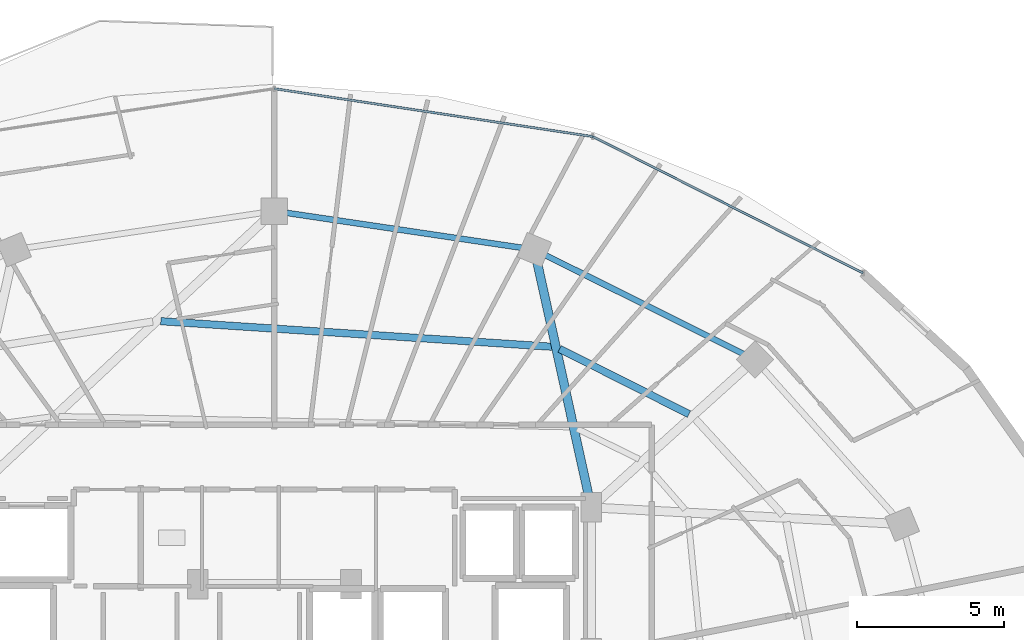
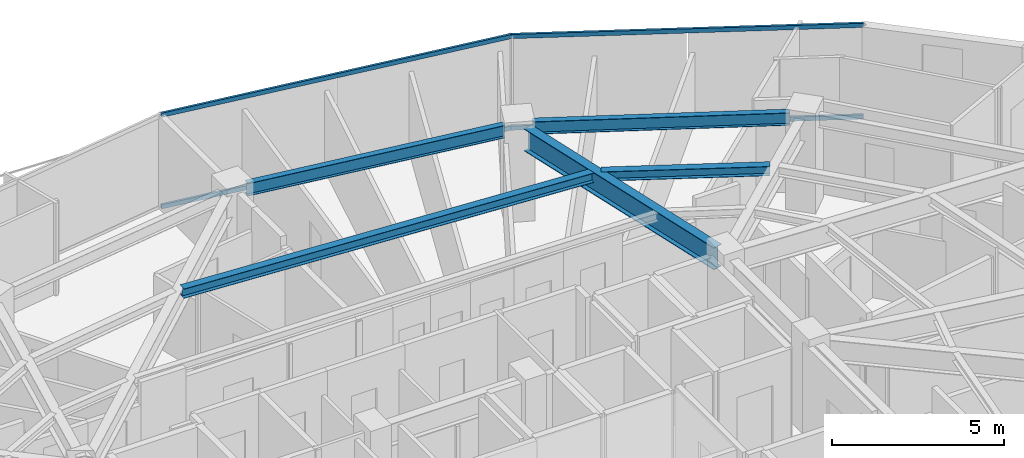
# One storey, part 21 of 34: 5 beams, 4 members, 1 element without a shape of its own.
"""IFC4 building model written with IfcOpenShell, lengths in metres."""

from ifc_helpers import new_model, si_unit, direction, frame, origin, origin_2d, place, context, subcontext, project, spatial, hollow_rectangle, i_section, extrude, material, material_profile, profile_set, type_object, element, aggregate, save


model = new_model("IFC4")

# Units and contexts
model_context = context("Model", 3, precision=1e-05, world=origin(), true_north=direction((0.0, 1.0)))
body_context = subcontext(model_context, "Body", "Model", "MODEL_VIEW")
ifc_project = project(units=[si_unit("LENGTHUNIT", "METRE"), si_unit("AREAUNIT", "SQUARE_METRE"), si_unit("VOLUMEUNIT", "CUBIC_METRE"), si_unit("PLANEANGLEUNIT", "RADIAN"), si_unit("MASSUNIT", "GRAM", prefix="KILO")], contexts=[model_context])

# Site, building, storey
site_placement = place(None, origin())
site = spatial("IfcSite", under=ifc_project, at=site_placement, CompositionType="ELEMENT")
building_placement = place(site_placement, origin())
building = spatial("IfcBuilding", under=site, at=building_placement, Name="Vorneva Point Tower", CompositionType="ELEMENT")
storey_placement = place(building_placement, frame((0.0, 0.0, 214.300048828125)))
storey = spatial("IfcBuildingStorey", under=building, at=storey_placement, Name="L58", CompositionType="ELEMENT", Elevation=214.300048828125)

# Beams
ifc_material_1 = material(Name="Steel S355", Category="steel")
ifc_material_profile_1 = material_profile(ifc_material_1, i_section(OverallWidth=0.300048828125, OverallDepth=0.7880859375, WebThickness=0.014404296875, FlangeThickness=0.02197265625, at=origin_2d()), Name="80Sh1")
ifc_profile_set_1 = profile_set([ifc_material_profile_1], Name="Steel S355")
beam_type_1 = type_object("IfcBeamType", Name="BM-GRD-80Sh1", PredefinedType="USERDEFINED", material=ifc_profile_set_1)
beam_1_placement = place(storey_placement, frame((46.915283203125, 41.462890625, 2.89599609375), z_axis=(0.215522758292, -0.976498817541, 0.0), x_axis=(0.976498817541, 0.215522758292, 0.0)))
element("IfcBeam", 1, at=beam_1_placement, inside=storey, type_object=beam_type_1, Name="L58 Radial Primary Girder 04", ObjectType="GIRDER", PredefinedType="USERDEFINED", context=body_context, shape_type="SweptSolid", body=[
    extrude(i_section(OverallWidth=0.300048828125, OverallDepth=0.7880859375, WebThickness=0.014404296875, FlangeThickness=0.02197265625, at=origin_2d()), origin(), (0.0, 0.0, 1.0), 8.173095703125),
])
ifc_material_profile_2 = material_profile(ifc_material_1, i_section(OverallWidth=0.2490234375, OverallDepth=0.333984375, WebThickness=0.008056640625, FlangeThickness=0.010986328125, at=origin_2d()), Name="35Sh1")
ifc_profile_set_2 = profile_set([ifc_material_profile_2], Name="Steel S355")
beam_type_2 = type_object("IfcBeamType", Name="BM-SEC-35Sh1", PredefinedType="BEAM", material=ifc_profile_set_2)
beam_2_placement = place(storey_placement, frame((52.060791015625, 36.314208984375, 3.123046875), z_axis=(-0.89285196268, 0.450350277827, 0.0), x_axis=(-0.450350277827, -0.89285196268, 0.0)))
element("IfcBeam", 2, at=beam_2_placement, inside=storey, type_object=beam_type_2, Name="L58 Secondary Floor Beam 1.03", PredefinedType="BEAM", context=body_context, shape_type="SweptSolid", body=[
    extrude(i_section(OverallWidth=0.2490234375, OverallDepth=0.333984375, WebThickness=0.008056640625, FlangeThickness=0.010986328125, at=origin_2d()), origin(), (0.0, 0.0, 1.0), 4.914794921875),
])
beam_3_placement = place(storey_placement, frame((47.41162109375, 38.598876953125, 3.123046875), z_axis=(-0.997872888723, 0.065189707405, 0.0), x_axis=(-0.065189707405, -0.997872888723, 0.0)))
element("IfcBeam", 3, at=beam_3_placement, inside=storey, type_object=beam_type_2, Name="L58 Secondary Floor Beam 1.04", PredefinedType="BEAM", context=body_context, shape_type="SweptSolid", body=[
    extrude(i_section(OverallWidth=0.2490234375, OverallDepth=0.333984375, WebThickness=0.008056640625, FlangeThickness=0.010986328125, at=origin_2d()), origin(), (0.0, 0.0, 1.0), 13.28759765625),
])
ifc_material_profile_3 = material_profile(ifc_material_1, i_section(OverallWidth=0.198974609375, OverallDepth=0.446044921875, WebThickness=0.008056640625, FlangeThickness=0.011962890625, at=origin_2d()), Name="45B1")
ifc_profile_set_3 = profile_set([ifc_material_profile_3], Name="Steel S355")
beam_type_3 = type_object("IfcBeamType", Name="BM-SPN-45B1", PredefinedType="SPANDREL", material=ifc_profile_set_3)
beam_4_placement = place(storey_placement, frame((53.909423828125, 38.356201171875, 3.06689453125), z_axis=(-0.894922371084, 0.446221861559, 0.0), x_axis=(-0.446221861559, -0.894922371084, 0.0)))
element("IfcBeam", 4, at=beam_4_placement, inside=storey, type_object=beam_type_3, Name="L58 Perimeter Spandrel Ring Beam 03", PredefinedType="SPANDREL", context=body_context, shape_type="SweptSolid", body=[
    extrude(i_section(OverallWidth=0.198974609375, OverallDepth=0.446044921875, WebThickness=0.008056640625, FlangeThickness=0.011962890625, at=origin_2d()), origin(), (0.0, 0.0, 1.0), 7.48583984375),
])
beam_5_placement = place(storey_placement, frame((46.390625, 41.95458984375, 3.06689453125), z_axis=(-0.989165476332, 0.146804837907, 0.0), x_axis=(-0.146804837907, -0.989165476332, 0.0)))
element("IfcBeam", 5, at=beam_5_placement, inside=storey, type_object=beam_type_3, Name="L58 Perimeter Spandrel Ring Beam 04", PredefinedType="SPANDREL", context=body_context, shape_type="SweptSolid", body=[
    extrude(i_section(OverallWidth=0.198974609375, OverallDepth=0.446044921875, WebThickness=0.008056640625, FlangeThickness=0.011962890625, at=origin_2d()), origin(), (0.0, 0.0, 1.0), 8.04736328125),
])

# Curtain wall, members
ifc_material_2 = material(Name="Pale anodised aluminium", Category="aluminium")
curtain_wall_type = type_object("IfcCurtainWallType", Name="CW-RES-SYS", PredefinedType="NOTDEFINED", material=ifc_material_2)
curtain_wall_placement = place(storey_placement, origin())
curtain_wall = element("IfcCurtainWall", 6, at=curtain_wall_placement, inside=storey, type_object=curtain_wall_type, Name="L58 Unitised Curtain Wall CW-L58-R02", PredefinedType="NOTDEFINED")
ifc_material_profile_4 = material_profile(ifc_material_2, hollow_rectangle(XDim=0.074951171875, YDim=0.14990234375, WallThickness=0.00390625, at=origin_2d()), Name="AL-TRN 150x75x4")
ifc_profile_set_4 = profile_set([ifc_material_profile_4], Name="Pale anodised aluminium")
member_type = type_object("IfcMemberType", Name="CW-TRN-150", PredefinedType="USERDEFINED", material=ifc_profile_set_4)
member_1_placement = place(storey_placement, frame((57.961669921875, 41.0966796875, 0.02001953125), z_axis=(-0.892510927709, 0.451025768576, 0.0), x_axis=(-0.451025768576, -0.892510927709, 0.0)))
member_1 = element("IfcMember", 7, at=member_1_placement, type_object=member_type, Name="CW-L58-R02 Transom 01.1", ObjectType="TRANSOM", PredefinedType="USERDEFINED", context=body_context, shape_type="SweptSolid", body=[
    extrude(hollow_rectangle(XDim=0.074951171875, YDim=0.14990234375, WallThickness=0.00390625, at=origin_2d()), origin(), (0.0, 0.0, 1.0), 10.261474609375),
])
member_2_placement = place(storey_placement, frame((57.961669921875, 41.0966796875, 3.27001953125), z_axis=(-0.892510927709, 0.451025768576, 0.0), x_axis=(-0.451025768576, -0.892510927709, 0.0)))
member_2 = element("IfcMember", 8, at=member_2_placement, type_object=member_type, Name="CW-L58-R02 Transom 01.2", ObjectType="TRANSOM", PredefinedType="USERDEFINED", context=body_context, shape_type="SweptSolid", body=[
    extrude(hollow_rectangle(XDim=0.074951171875, YDim=0.14990234375, WallThickness=0.00390625, at=origin_2d()), origin(), (0.0, 0.0, 1.0), 10.261474609375),
])
member_3_placement = place(storey_placement, frame((48.80322265625, 45.724853515625, 0.02001953125), z_axis=(-0.988872333273, 0.148766624239, 0.0), x_axis=(-0.148766624239, -0.988872333273, 0.0)))
member_3 = element("IfcMember", 9, at=member_3_placement, type_object=member_type, Name="CW-L58-R02 Transom 02.1", ObjectType="TRANSOM", PredefinedType="USERDEFINED", context=body_context, shape_type="SweptSolid", body=[
    extrude(hollow_rectangle(XDim=0.074951171875, YDim=0.14990234375, WallThickness=0.00390625, at=origin_2d()), origin(), (0.0, 0.0, 1.0), 10.9248046875),
])
member_4_placement = place(storey_placement, frame((48.80322265625, 45.724853515625, 3.27001953125), z_axis=(-0.988872333273, 0.148766624239, 0.0), x_axis=(-0.148766624239, -0.988872333273, 0.0)))
member_4 = element("IfcMember", 10, at=member_4_placement, type_object=member_type, Name="CW-L58-R02 Transom 02.2", ObjectType="TRANSOM", PredefinedType="USERDEFINED", context=body_context, shape_type="SweptSolid", body=[
    extrude(hollow_rectangle(XDim=0.074951171875, YDim=0.14990234375, WallThickness=0.00390625, at=origin_2d()), origin(), (0.0, 0.0, 1.0), 10.9248046875),
])
aggregate(curtain_wall, [member_1, member_2, member_3, member_4])

save(model, "model.ifc")
